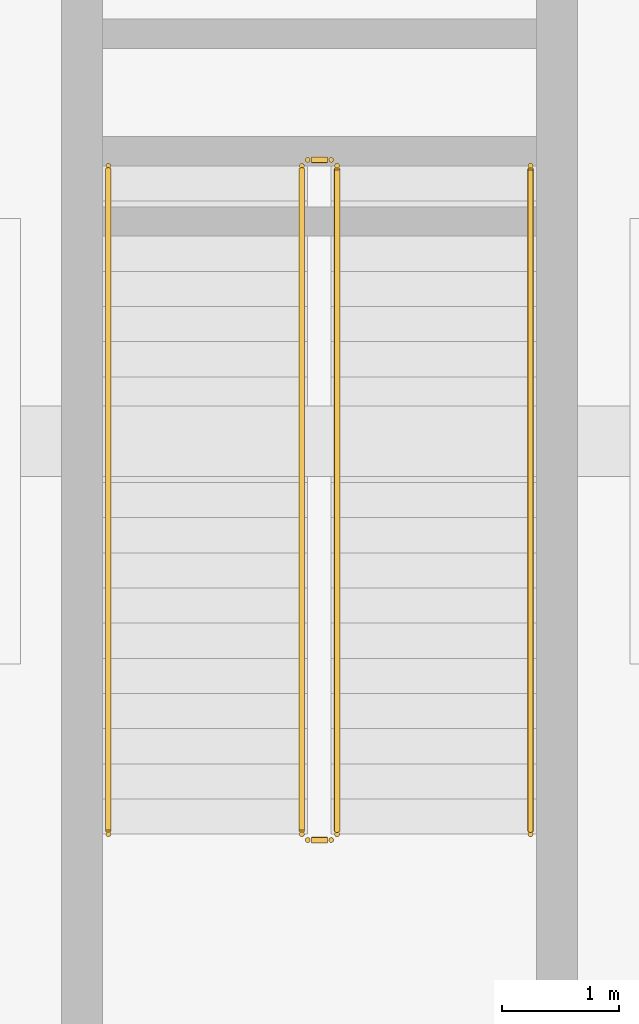
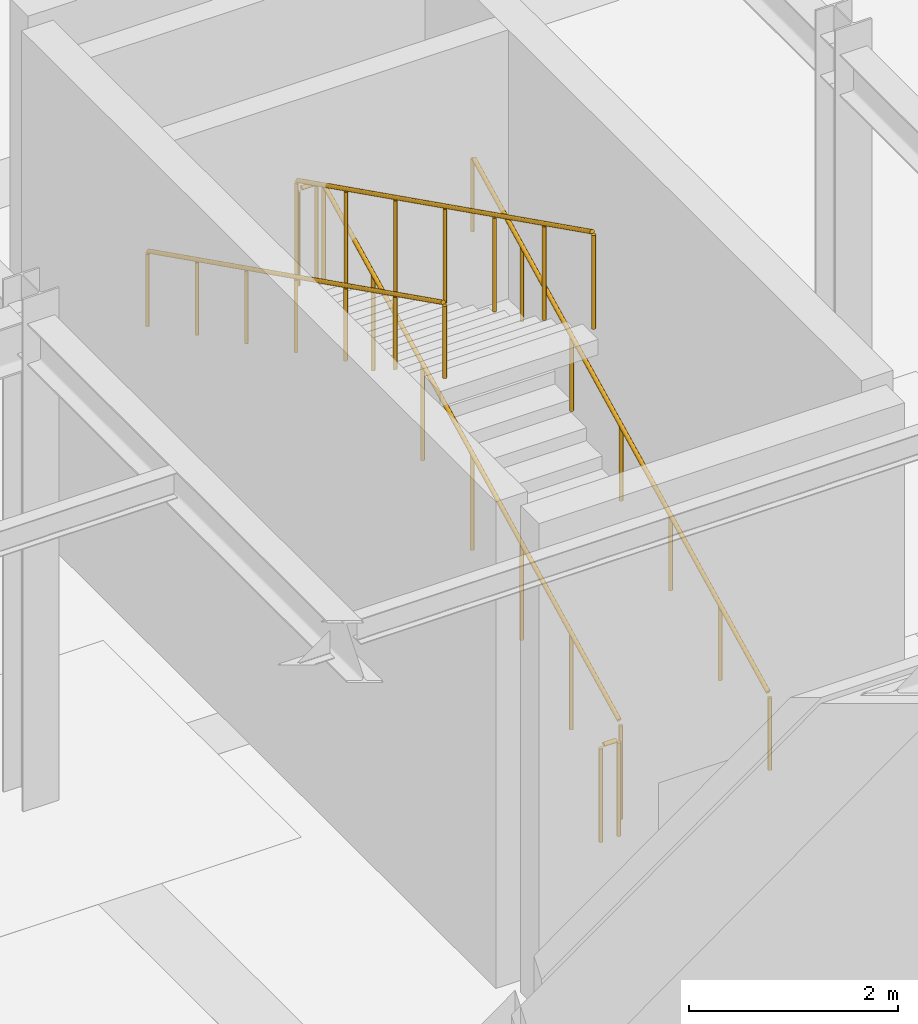
# One storey, part 27 of 36: 6 railings.
"""IFC4 building model written with IfcOpenShell, lengths in metres."""

from ifc_helpers import new_model, si_unit, direction, frame, origin, origin_2d, place, context, subcontext, project, spatial, circle, extrude, material, type_object, element, save


model = new_model("IFC4")

# Units and contexts
model_context = context("Model", 3, precision=1e-05, world=origin(), true_north=direction((0.0, 1.0)))
body_context = subcontext(model_context, "Body", "Model", "MODEL_VIEW")
ifc_project = project(units=[si_unit("LENGTHUNIT", "METRE"), si_unit("AREAUNIT", "SQUARE_METRE"), si_unit("VOLUMEUNIT", "CUBIC_METRE"), si_unit("PLANEANGLEUNIT", "RADIAN"), si_unit("MASSUNIT", "GRAM", prefix="KILO")], contexts=[model_context])

# Site, building, storey
site_placement = place(None, origin())
site = spatial("IfcSite", under=ifc_project, at=site_placement, CompositionType="ELEMENT")
building_placement = place(site_placement, origin())
building = spatial("IfcBuilding", under=site, at=building_placement, Name="Haizhuo Lancet Aquarium", CompositionType="ELEMENT")
storey_placement = place(building_placement, frame((0.0, 0.0, -6.0)))
storey = spatial("IfcBuildingStorey", under=building, at=storey_placement, Name="B1", CompositionType="ELEMENT", Elevation=-6.0)

# Railings
ifc_material = material(Name="Steel S355", Category="steel")
railing_type_1 = type_object("IfcRailingType", Name="RL-GRD-1150", PredefinedType="GUARDRAIL", material=ifc_material)
railing_1_placement = place(storey_placement, frame((-4.39990234375, -39.35009765625, 0.14990234375)))
element("IfcRailing", 1, at=railing_1_placement, inside=storey, type_object=railing_type_1, Name="B1 ST-06 stair guard 1", PredefinedType="GUARDRAIL", context=body_context, shape_type="SweptSolid", body=[
    extrude(circle(Radius=0.02392578125, at=origin_2d()), frame((0.0, 0.02685546875, 1.13916015625), z_axis=(0.0, 0.894427191, 0.4472135955), x_axis=(-1.0, 0.0, 0.0)), (0.0, 0.0, 1.0), 6.31298828125),
    extrude(circle(Radius=0.02099609375, at=origin_2d()), origin(), (0.0, 0.0, 1.0), 1.097900390625),
    extrude(circle(Radius=0.02099609375, at=origin_2d()), frame((0.0, 0.949951171875, 0.47509765625)), (0.0, 0.0, 1.0), 1.097900390625),
    extrude(circle(Radius=0.02099609375, at=origin_2d()), frame((0.0, 1.900146484375, 0.949951171875)), (0.0, 0.0, 1.0), 1.097900390625),
    extrude(circle(Radius=0.02099609375, at=origin_2d()), frame((0.0, 2.85009765625, 1.425048828125)), (0.0, 0.0, 1.0), 1.097900390625),
    extrude(circle(Radius=0.02099609375, at=origin_2d()), frame((0.0, 3.800048828125, 1.900146484375)), (0.0, 0.0, 1.0), 1.097900390625),
    extrude(circle(Radius=0.02099609375, at=origin_2d()), frame((0.0, 4.750244140625, 2.375)), (0.0, 0.0, 1.0), 1.097900390625),
    extrude(circle(Radius=0.02099609375, at=origin_2d()), frame((0.0, 5.7001953125, 2.85009765625)), (0.0, 0.0, 1.0), 1.097900390625),
])
railing_2_placement = place(storey_placement, frame((-4.449951171875, -33.60009765625, 3.0)))
element("IfcRailing", 2, at=railing_2_placement, inside=storey, type_object=railing_type_1, Name="B1 ST-06 stair guard 2", PredefinedType="GUARDRAIL", context=body_context, shape_type="SweptSolid", body=[
    extrude(circle(Radius=0.02392578125, at=origin_2d()), frame((-0.030029296875, 0.0, 1.1259765625), z_axis=(-1.0, 0.0, 0.0), x_axis=(0.0, -1.0, 0.0)), (0.0, 0.0, 1.0), 0.139892578125),
    extrude(circle(Radius=0.02099609375, at=origin_2d()), origin(), (0.0, 0.0, 1.0), 1.097900390625),
    extrude(circle(Radius=0.02099609375, at=origin_2d()), frame((-0.199951171875, 0.0, 0.0)), (0.0, 0.0, 1.0), 1.097900390625),
])
railing_3_placement = place(storey_placement, frame((-4.699951171875, -33.64990234375, 3.14990234375)))
element("IfcRailing", 3, at=railing_3_placement, inside=storey, type_object=railing_type_1, Name="B1 ST-06 stair guard 3", PredefinedType="GUARDRAIL", context=body_context, shape_type="SweptSolid", body=[
    extrude(circle(Radius=0.02392578125, at=origin_2d()), frame((0.0, -0.02685546875, 1.13916015625), z_axis=(0.0, -0.894427191, 0.4472135955), x_axis=(1.0, 0.0, 0.0)), (0.0, 0.0, 1.0), 6.31298828125),
    extrude(circle(Radius=0.02099609375, at=origin_2d()), origin(), (0.0, 0.0, 1.0), 1.097900390625),
    extrude(circle(Radius=0.02099609375, at=origin_2d()), frame((0.0, -0.949951171875, 0.47509765625)), (0.0, 0.0, 1.0), 1.097900390625),
    extrude(circle(Radius=0.02099609375, at=origin_2d()), frame((0.0, -1.900146484375, 0.949951171875)), (0.0, 0.0, 1.0), 1.097900390625),
    extrude(circle(Radius=0.02099609375, at=origin_2d()), frame((0.0, -2.85009765625, 1.425048828125)), (0.0, 0.0, 1.0), 1.097900390625),
    extrude(circle(Radius=0.02099609375, at=origin_2d()), frame((0.0, -3.800048828125, 1.900146484375)), (0.0, 0.0, 1.0), 1.097900390625),
    extrude(circle(Radius=0.02099609375, at=origin_2d()), frame((0.0, -4.750244140625, 2.375)), (0.0, 0.0, 1.0), 1.097900390625),
    extrude(circle(Radius=0.02099609375, at=origin_2d()), frame((0.0, -5.7001953125, 2.85009765625)), (0.0, 0.0, 1.0), 1.097900390625),
])
railing_4_placement = place(storey_placement, frame((-4.449951171875, -39.39990234375, 0.0)))
element("IfcRailing", 4, at=railing_4_placement, inside=storey, type_object=railing_type_1, Name="B1 ST-06 stair guard 4", PredefinedType="GUARDRAIL", context=body_context, shape_type="SweptSolid", body=[
    extrude(circle(Radius=0.02392578125, at=origin_2d()), frame((-0.030029296875, 0.0, 1.1259765625), z_axis=(-1.0, 0.0, 0.0), x_axis=(0.0, -1.0, 0.0)), (0.0, 0.0, 1.0), 0.139892578125),
    extrude(circle(Radius=0.02099609375, at=origin_2d()), origin(), (0.0, 0.0, 1.0), 1.097900390625),
    extrude(circle(Radius=0.02099609375, at=origin_2d()), frame((-0.199951171875, 0.0, 0.0)), (0.0, 0.0, 1.0), 1.097900390625),
])
railing_type_2 = type_object("IfcRailingType", Name="RL-HDR-900", PredefinedType="HANDRAIL", material=ifc_material)
railing_5_placement = place(storey_placement, frame((-2.75, -39.35009765625, 0.14990234375)))
element("IfcRailing", 5, at=railing_5_placement, inside=storey, type_object=railing_type_2, Name="B1 ST-06 pitch handrail 1", PredefinedType="HANDRAIL", context=body_context, shape_type="SweptSolid", body=[
    extrude(circle(Radius=0.02392578125, at=origin_2d()), frame((0.0, 0.02685546875, 0.88916015625), z_axis=(0.0, 0.894427191, 0.4472135955), x_axis=(-1.0, 0.0, 0.0)), (0.0, 0.0, 1.0), 6.31298828125),
    extrude(circle(Radius=0.02099609375, at=origin_2d()), origin(), (0.0, 0.0, 1.0), 0.847900390625),
    extrude(circle(Radius=0.02099609375, at=origin_2d()), frame((0.0, 0.949951171875, 0.47509765625)), (0.0, 0.0, 1.0), 0.847900390625),
    extrude(circle(Radius=0.02099609375, at=origin_2d()), frame((0.0, 1.900146484375, 0.949951171875)), (0.0, 0.0, 1.0), 0.847900390625),
    extrude(circle(Radius=0.02099609375, at=origin_2d()), frame((0.0, 2.85009765625, 1.425048828125)), (0.0, 0.0, 1.0), 0.847900390625),
    extrude(circle(Radius=0.02099609375, at=origin_2d()), frame((0.0, 3.800048828125, 1.900146484375)), (0.0, 0.0, 1.0), 0.847900390625),
    extrude(circle(Radius=0.02099609375, at=origin_2d()), frame((0.0, 4.750244140625, 2.375)), (0.0, 0.0, 1.0), 0.847900390625),
    extrude(circle(Radius=0.02099609375, at=origin_2d()), frame((0.0, 5.7001953125, 2.85009765625)), (0.0, 0.0, 1.0), 0.847900390625),
])
railing_6_placement = place(storey_placement, frame((-6.35009765625, -33.64990234375, 3.14990234375)))
element("IfcRailing", 6, at=railing_6_placement, inside=storey, type_object=railing_type_2, Name="B1 ST-06 pitch handrail 2", PredefinedType="HANDRAIL", context=body_context, shape_type="SweptSolid", body=[
    extrude(circle(Radius=0.02392578125, at=origin_2d()), frame((0.0, -0.02685546875, 0.88916015625), z_axis=(0.0, -0.894427191, 0.4472135955), x_axis=(1.0, 0.0, 0.0)), (0.0, 0.0, 1.0), 6.31298828125),
    extrude(circle(Radius=0.02099609375, at=origin_2d()), origin(), (0.0, 0.0, 1.0), 0.847900390625),
    extrude(circle(Radius=0.02099609375, at=origin_2d()), frame((0.0, -0.949951171875, 0.47509765625)), (0.0, 0.0, 1.0), 0.847900390625),
    extrude(circle(Radius=0.02099609375, at=origin_2d()), frame((0.0, -1.900146484375, 0.949951171875)), (0.0, 0.0, 1.0), 0.847900390625),
    extrude(circle(Radius=0.02099609375, at=origin_2d()), frame((0.0, -2.85009765625, 1.425048828125)), (0.0, 0.0, 1.0), 0.847900390625),
    extrude(circle(Radius=0.02099609375, at=origin_2d()), frame((0.0, -3.800048828125, 1.900146484375)), (0.0, 0.0, 1.0), 0.847900390625),
    extrude(circle(Radius=0.02099609375, at=origin_2d()), frame((0.0, -4.750244140625, 2.375)), (0.0, 0.0, 1.0), 0.847900390625),
    extrude(circle(Radius=0.02099609375, at=origin_2d()), frame((0.0, -5.7001953125, 2.85009765625)), (0.0, 0.0, 1.0), 0.847900390625),
])

save(model, "model.ifc")
